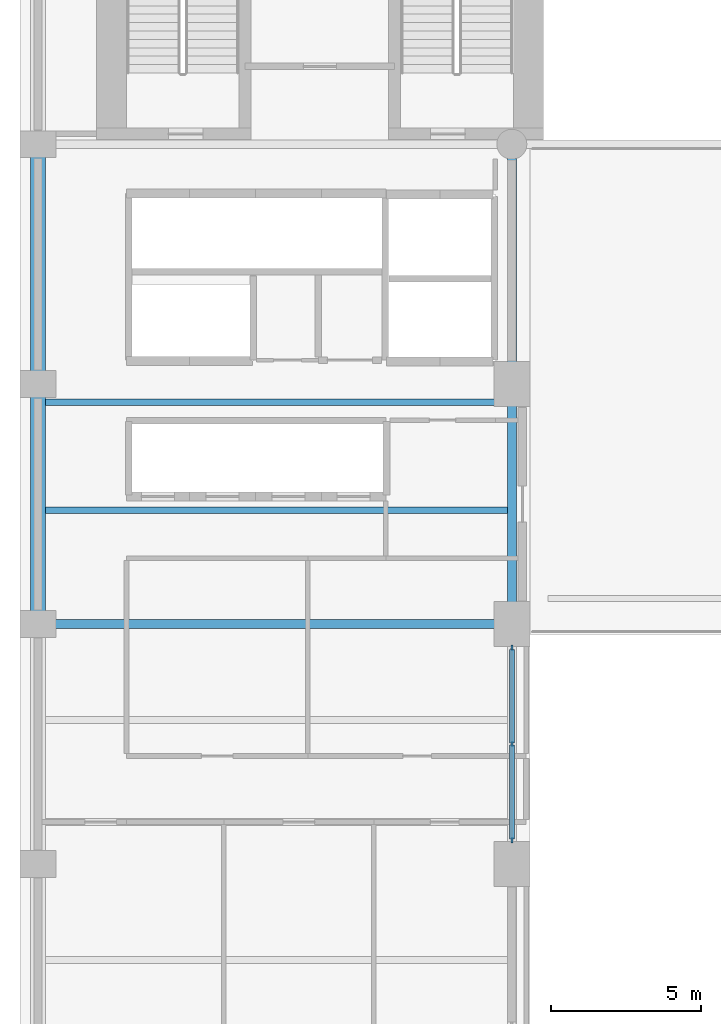
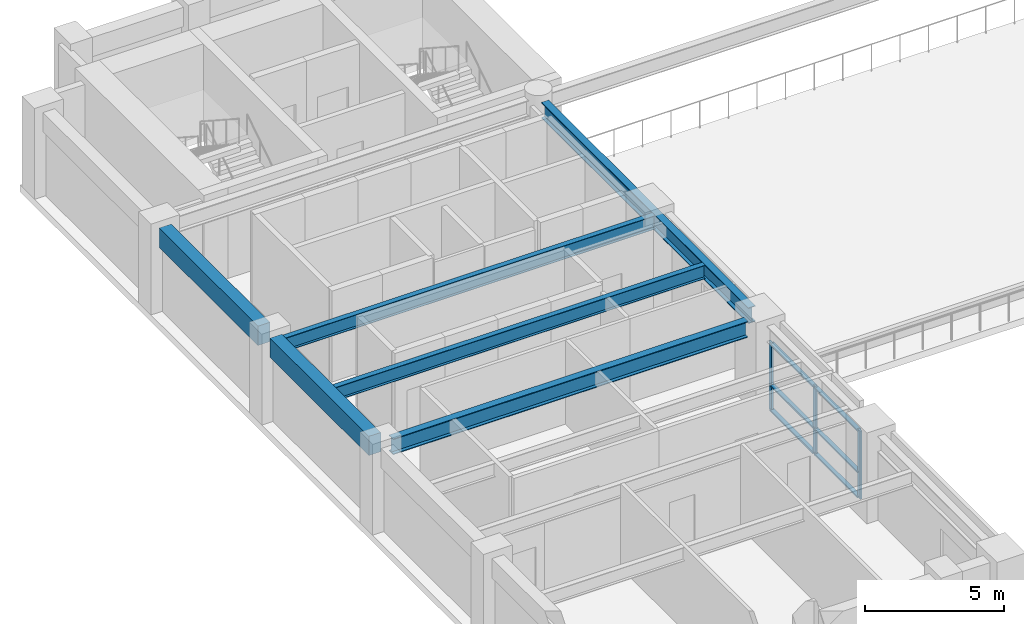
# One storey, part 2 of 12: 9 members, 6 beams, 1 element without a shape of its own.
"""IFC4 building model written with IfcOpenShell, lengths in metres."""

from ifc_helpers import new_model, si_unit, direction, frame, origin, origin_2d, place, context, subcontext, project, spatial, rectangle, i_section, extrude, material, layer, layer_set, material_profile, profile_set, type_object, element, aggregate, save


model = new_model("IFC4")

# Units and contexts
model_context = context("Model", 3, precision=1e-05, world=origin(), true_north=direction((0.0, 1.0)))
body_context = subcontext(model_context, "Body", "Model", "MODEL_VIEW")
ifc_project = project(units=[si_unit("LENGTHUNIT", "METRE"), si_unit("AREAUNIT", "SQUARE_METRE"), si_unit("VOLUMEUNIT", "CUBIC_METRE"), si_unit("PLANEANGLEUNIT", "RADIAN"), si_unit("MASSUNIT", "GRAM", prefix="KILO")], contexts=[model_context])

# Site, building, storey
site_placement = place(None, origin())
site = spatial("IfcSite", under=ifc_project, at=site_placement, CompositionType="ELEMENT")
building_placement = place(site_placement, origin())
building = spatial("IfcBuilding", under=site, at=building_placement, Name="Sulina Concourse Tower", CompositionType="ELEMENT")
storey_placement = place(building_placement, frame((0.0, 0.0, 38.60009765625)))
storey = spatial("IfcBuildingStorey", under=building, at=storey_placement, Name="L09", CompositionType="ELEMENT", Elevation=38.60009765625)

# Beams
ifc_material_1 = material(Name="Steel S355", Category="steel")
ifc_material_profile_1 = material_profile(ifc_material_1, i_section(OverallWidth=0.219970703125, OverallDepth=0.60009765625, WebThickness=0.011962890625, FlangeThickness=0.01904296875, at=origin_2d()), Name="IPE 600")
ifc_profile_set_1 = profile_set([ifc_material_profile_1], Name="Steel S355")
beam_type_1 = type_object("IfcBeamType", Name="Composite Floor Joist IPE600", PredefinedType="JOIST", material=ifc_profile_set_1)
for number, where, z_axis, x_axis, name in (
    (1, (0.85009765625, 21.800048828125, 3.39990234375), (1.0, 0.0, 0.0), (0.0, 1.0, 0.0), "FJ-J22-1-L09"),
    (2, (0.85009765625, 25.39990234375, 3.39990234375), (1.0, 0.0, 0.0), (0.0, 1.0, 0.0), "FJ-J25-1-L09"),
):
    element("IfcBeam", number, at=place(storey_placement, frame(where, z_axis=z_axis, x_axis=x_axis)), inside=storey, type_object=beam_type_1, Name=name, PredefinedType="JOIST", context=body_context, shape_type="SweptSolid", body=[
        extrude(i_section(OverallWidth=0.219970703125, OverallDepth=0.60009765625, WebThickness=0.011962890625, FlangeThickness=0.01904296875, at=origin_2d()), origin(), (0.0, 0.0, 1.0), 15.39990234375),
    ])
ifc_material_2 = material(Name="Steel S355", Category="steel")
ifc_material_profile_2 = material_profile(ifc_material_2, i_section(OverallWidth=0.300048828125, OverallDepth=0.699951171875, WebThickness=0.01708984375, FlangeThickness=0.031982421875, at=origin_2d()), Name="HE 700 B")
ifc_profile_set_2 = profile_set([ifc_material_profile_2], Name="Steel S355")
beam_type_2 = type_object("IfcBeamType", Name="Floor Primary Girder Zone 1 HE700B", PredefinedType="BEAM", material=ifc_profile_set_2)
beam_1_placement = place(storey_placement, frame((1.030029296875, 18.0, 3.349853515625), z_axis=(1.0, 0.0, 0.0), x_axis=(0.0, 1.0, 0.0)))
element("IfcBeam", 3, at=beam_1_placement, inside=storey, type_object=beam_type_2, Name="FG-EW1-L09", PredefinedType="BEAM", context=body_context, shape_type="SweptSolid", body=[
    extrude(i_section(OverallWidth=0.300048828125, OverallDepth=0.699951171875, WebThickness=0.01708984375, FlangeThickness=0.031982421875, at=origin_2d()), origin(), (0.0, 0.0, 1.0), 14.7900390625),
])
beam_2_placement = place(storey_placement, frame((16.39990234375, 18.580078125, 3.349853515625), z_axis=(0.0, 1.0, 0.0), x_axis=(-1.0, 0.0, 0.0)))
element("IfcBeam", 4, at=beam_2_placement, inside=storey, type_object=beam_type_2, Name="FG-NSB-16-L09", PredefinedType="BEAM", context=body_context, shape_type="SweptSolid", body=[
    extrude(i_section(OverallWidth=0.300048828125, OverallDepth=0.699951171875, WebThickness=0.01708984375, FlangeThickness=0.031982421875, at=origin_2d()), origin(), (0.0, 0.0, 1.0), 14.93994140625),
])
ifc_material_3 = material(Name="Precast concrete C50/60", Category="concrete")
ifc_material_profile_3 = material_profile(ifc_material_3, rectangle(XDim=0.5, YDim=0.85009765625, at=origin_2d()), Name="RC 500x850")
ifc_profile_set_3 = profile_set([ifc_material_profile_3], Name="Precast concrete C50/60")
beam_type_3 = type_object("IfcBeamType", Name="Lower Precast Spandrel Edge Beam 500x850", PredefinedType="BEAM", material=ifc_profile_set_3)
for number, where, z_axis, x_axis, name in (
    (5, (0.60009765625, 18.429931640625, 3.27490234375), (0.0, 1.0, 0.0), (-1.0, 0.0, 0.0), "SP-W3-L09"),
    (6, (0.60009765625, 26.429931640625, 3.27490234375), (0.0, 1.0, 0.0), (-1.0, 0.0, 0.0), "SP-W4-L09"),
):
    element("IfcBeam", number, at=place(storey_placement, frame(where, z_axis=z_axis, x_axis=x_axis)), inside=storey, type_object=beam_type_3, Name=name, PredefinedType="BEAM", context=body_context, shape_type="SweptSolid", body=[
        extrude(rectangle(XDim=0.5, YDim=0.85009765625, at=origin_2d()), origin(), (0.0, 0.0, 1.0), 7.14013671875),
    ])

# Curtain wall, members
ifc_material_4 = material(Name="Anodised bronze aluminium", Category="aluminium")
ifc_layer = layer(ifc_material_4, 0.219970703125)
ifc_layer_set = layer_set([ifc_layer], Name="Anodised bronze aluminium")
curtain_wall_type = type_object("IfcCurtainWallType", Name="Lower Terraced Portal Curtain Wall System", PredefinedType="NOTDEFINED", material=ifc_layer_set)
curtain_wall_placement = place(storey_placement, origin())
curtain_wall = element("IfcCurtainWall", 7, at=curtain_wall_placement, inside=storey, type_object=curtain_wall_type, Name="L09 glazed curtain wall PW2", PredefinedType="NOTDEFINED")
ifc_material_5 = material(Name="Anodised bronze aluminium", Category="aluminium")
ifc_material_profile_4 = material_profile(ifc_material_5, rectangle(XDim=0.070068359375, YDim=0.199951171875, at=origin_2d()), Name="MUL 70x200")
ifc_profile_set_4 = profile_set([ifc_material_profile_4], Name="Anodised bronze aluminium")
member_type_1 = type_object("IfcMemberType", Name="Lower Terraced Portal Curtain Wall System Mullion 70x200", PredefinedType="MULLION", material=ifc_profile_set_4)
member_1_placement = place(storey_placement, frame((16.39990234375, 17.195068359375, 0.0), z_axis=(0.0, 0.0, 1.0), x_axis=(1.0, 0.0, 0.0)))
member_1 = element("IfcMember", 8, at=member_1_placement, type_object=member_type_1, Name="CW-02 mullion 1", PredefinedType="MULLION", context=body_context, shape_type="SweptSolid", body=[
    extrude(rectangle(XDim=0.070068359375, YDim=0.199951171875, at=origin_2d()), origin(), (0.0, 0.0, 1.0), 3.0),
])
member_2_placement = place(storey_placement, frame((16.39990234375, 14.0, 0.0), z_axis=(0.0, 0.0, 1.0), x_axis=(1.0, 0.0, 0.0)))
member_2 = element("IfcMember", 9, at=member_2_placement, type_object=member_type_1, Name="CW-02 mullion 2", PredefinedType="MULLION", context=body_context, shape_type="SweptSolid", body=[
    extrude(rectangle(XDim=0.070068359375, YDim=0.199951171875, at=origin_2d()), origin(), (0.0, 0.0, 1.0), 3.0),
])
member_3_placement = place(storey_placement, frame((16.39990234375, 10.804931640625, 0.0), z_axis=(0.0, 0.0, 1.0), x_axis=(1.0, 0.0, 0.0)))
member_3 = element("IfcMember", 10, at=member_3_placement, type_object=member_type_1, Name="CW-02 mullion 3", PredefinedType="MULLION", context=body_context, shape_type="SweptSolid", body=[
    extrude(rectangle(XDim=0.070068359375, YDim=0.199951171875, at=origin_2d()), origin(), (0.0, 0.0, 1.0), 3.0),
])
ifc_material_6 = material(Name="Anodised bronze aluminium", Category="aluminium")
ifc_material_profile_5 = material_profile(ifc_material_6, rectangle(XDim=0.1650390625, YDim=0.070068359375, at=origin_2d()), Name="TRN 70x165")
ifc_profile_set_5 = profile_set([ifc_material_profile_5], Name="Anodised bronze aluminium")
member_type_2 = type_object("IfcMemberType", Name="Lower Terraced Portal Curtain Wall System Transom 70x165", PredefinedType="USERDEFINED", material=ifc_profile_set_5)
member_4_placement = place(storey_placement, frame((16.39990234375, 17.159912109375, 0.034912109375), z_axis=(0.0, -1.0, 0.0), x_axis=(1.0, 0.0, 0.0)))
member_4 = element("IfcMember", 11, at=member_4_placement, type_object=member_type_2, Name="CW-02 transom 1.1", ObjectType="TRANSOM", PredefinedType="USERDEFINED", context=body_context, shape_type="SweptSolid", body=[
    extrude(rectangle(XDim=0.1650390625, YDim=0.070068359375, at=origin_2d()), origin(), (0.0, 0.0, 1.0), 3.125),
])
member_5_placement = place(storey_placement, frame((16.39990234375, 17.159912109375, 1.139892578125), z_axis=(0.0, -1.0, 0.0), x_axis=(1.0, 0.0, 0.0)))
member_5 = element("IfcMember", 12, at=member_5_placement, type_object=member_type_2, Name="CW-02 transom 1.2", ObjectType="TRANSOM", PredefinedType="USERDEFINED", context=body_context, shape_type="SweptSolid", body=[
    extrude(rectangle(XDim=0.1650390625, YDim=0.070068359375, at=origin_2d()), origin(), (0.0, 0.0, 1.0), 3.125),
])
member_6_placement = place(storey_placement, frame((16.39990234375, 17.159912109375, 2.96484375), z_axis=(0.0, -1.0, 0.0), x_axis=(1.0, 0.0, 0.0)))
member_6 = element("IfcMember", 13, at=member_6_placement, type_object=member_type_2, Name="CW-02 transom 1.3", ObjectType="TRANSOM", PredefinedType="USERDEFINED", context=body_context, shape_type="SweptSolid", body=[
    extrude(rectangle(XDim=0.1650390625, YDim=0.070068359375, at=origin_2d()), origin(), (0.0, 0.0, 1.0), 3.125),
])
member_7_placement = place(storey_placement, frame((16.39990234375, 13.965087890625, 0.034912109375), z_axis=(0.0, -1.0, 0.0), x_axis=(1.0, 0.0, 0.0)))
member_7 = element("IfcMember", 14, at=member_7_placement, type_object=member_type_2, Name="CW-02 transom 2.1", ObjectType="TRANSOM", PredefinedType="USERDEFINED", context=body_context, shape_type="SweptSolid", body=[
    extrude(rectangle(XDim=0.1650390625, YDim=0.070068359375, at=origin_2d()), origin(), (0.0, 0.0, 1.0), 3.125),
])
member_8_placement = place(storey_placement, frame((16.39990234375, 13.965087890625, 1.139892578125), z_axis=(0.0, -1.0, 0.0), x_axis=(1.0, 0.0, 0.0)))
member_8 = element("IfcMember", 15, at=member_8_placement, type_object=member_type_2, Name="CW-02 transom 2.2", ObjectType="TRANSOM", PredefinedType="USERDEFINED", context=body_context, shape_type="SweptSolid", body=[
    extrude(rectangle(XDim=0.1650390625, YDim=0.070068359375, at=origin_2d()), origin(), (0.0, 0.0, 1.0), 3.125),
])
member_9_placement = place(storey_placement, frame((16.39990234375, 13.965087890625, 2.96484375), z_axis=(0.0, -1.0, 0.0), x_axis=(1.0, 0.0, 0.0)))
member_9 = element("IfcMember", 16, at=member_9_placement, type_object=member_type_2, Name="CW-02 transom 2.3", ObjectType="TRANSOM", PredefinedType="USERDEFINED", context=body_context, shape_type="SweptSolid", body=[
    extrude(rectangle(XDim=0.1650390625, YDim=0.070068359375, at=origin_2d()), origin(), (0.0, 0.0, 1.0), 3.125),
])
aggregate(curtain_wall, [member_1, member_2, member_3, member_4, member_5, member_6, member_7, member_8, member_9])

save(model, "model.ifc")
